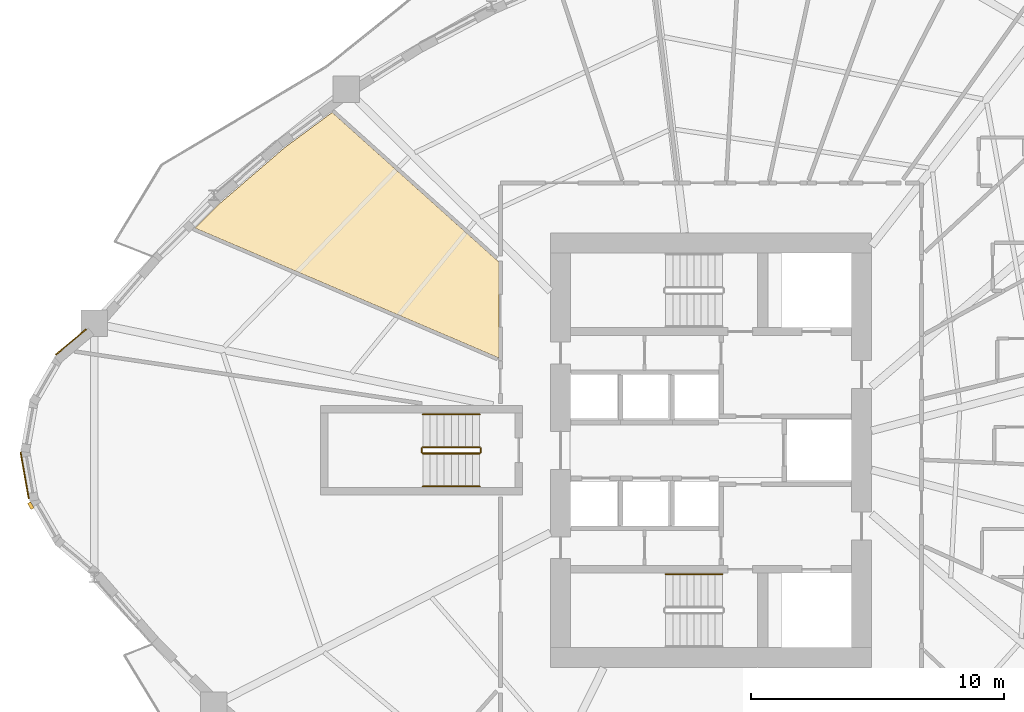
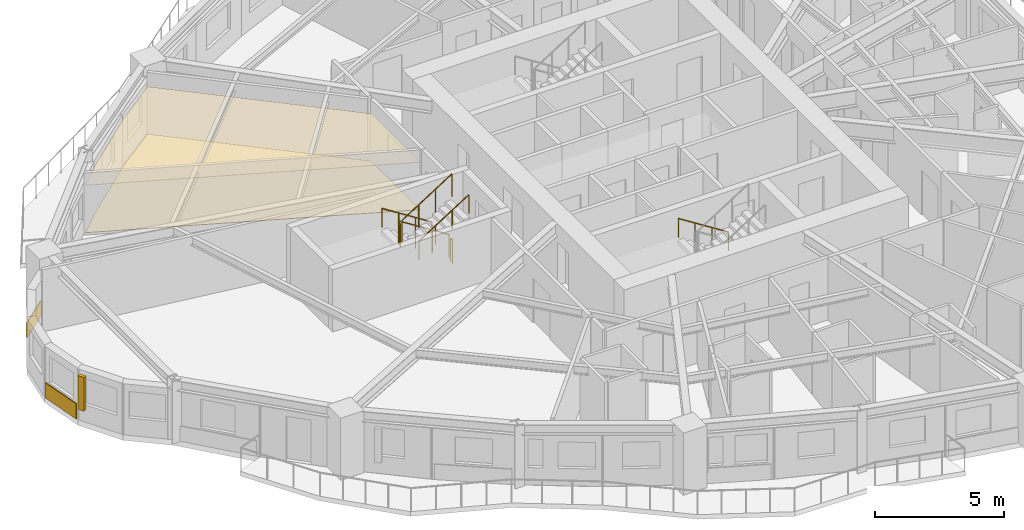
# One storey, part 11 of 14: 7 railings, 4 coverings, 1 shading device.
"""IFC4 building model written with IfcOpenShell, lengths in metres."""

from ifc_helpers import new_model, si_unit, direction, frame, origin, origin_2d, place, context, subcontext, project, spatial, polyline, rectangle, circle, outline, extrude, source, transform, mapped, material, layer, layer_set, type_object, element, save


model = new_model("IFC4")

# Units and contexts
model_context = context("Model", 3, precision=1e-05, world=origin(), true_north=direction((0.0, 1.0)))
body_context = subcontext(model_context, "Body", "Model", "MODEL_VIEW")
ifc_project = project(units=[si_unit("LENGTHUNIT", "METRE"), si_unit("AREAUNIT", "SQUARE_METRE"), si_unit("VOLUMEUNIT", "CUBIC_METRE"), si_unit("PLANEANGLEUNIT", "RADIAN"), si_unit("MASSUNIT", "GRAM", prefix="KILO")], contexts=[model_context])

# Site, building, storey
site_placement = place(None, origin())
site = spatial("IfcSite", under=ifc_project, at=site_placement, CompositionType="ELEMENT")
building_placement = place(site_placement, origin())
building = spatial("IfcBuilding", under=site, at=building_placement, Name="Qafzar Sky-Pleat Residences", CompositionType="ELEMENT")
storey_placement = place(building_placement, frame((0.0, 0.0, 23.800048828125)))
storey = spatial("IfcBuildingStorey", under=building, at=storey_placement, Name="L06", CompositionType="ELEMENT", Elevation=23.800048828125)

# Coverings
ifc_material_1 = material(Name="Perforated acoustic gypsum board ceiling")
ifc_layer_1 = layer(ifc_material_1, 0.02001953125)
ifc_layer_set_1 = layer_set([ifc_layer_1], Name="Perforated acoustic gypsum board ceiling")
covering_type_1 = type_object("IfcCoveringType", Name="COV-CEIL-ACOUSTIC", PredefinedType="CEILING", material=ifc_layer_set_1)
covering_1_placement = place(storey_placement, frame((0.0, 0.0, 2.239990234375)))
element("IfcCovering", 1, at=covering_1_placement, inside=storey, type_object=covering_type_1, Name="L06 Co-Living Lounge Acoustic Ceiling", PredefinedType="CEILING", context=body_context, shape_type="SweptSolid", body=[
    extrude(outline(polyline([(13.4970703125, 37.975830078125), (15.369140625, 39.361328125), (21.9599609375, 33.447509765625), (21.9599609375, 29.652587890625), (9.95361328125, 34.7861328125), (10.96240234375, 35.79150390625), (13.4970703125, 37.975830078125)])), origin(), (0.0, 0.0, 1.0), 0.02001953125),
])
ifc_material_2 = material(Name="Honed porcelain and Riyadh stone tile flooring", Category="masonry")
ifc_layer_2 = layer(ifc_material_2, 0.02001953125)
ifc_layer_set_2 = layer_set([ifc_layer_2], Name="Honed porcelain and Riyadh stone tile flooring")
covering_type_2 = type_object("IfcCoveringType", Name="COV-FLR-PORCELAIN", PredefinedType="FLOORING", material=ifc_layer_set_2)
covering_2_placement = place(storey_placement, origin())
element("IfcCovering", 2, at=covering_2_placement, inside=storey, type_object=covering_type_2, Name="L06 Co-Living Lounge Honed Stone Flooring", PredefinedType="FLOORING", context=body_context, shape_type="SweptSolid", body=[
    extrude(outline(polyline([(13.4970703125, 37.975830078125), (15.369140625, 39.361328125), (21.9599609375, 33.447509765625), (21.9599609375, 29.652587890625), (9.95361328125, 34.7861328125), (10.96240234375, 35.79150390625), (13.4970703125, 37.975830078125)])), origin(), (0.0, 0.0, 1.0), 0.02001953125),
])
ifc_material_3 = material(Name="Honed Riyadh Tuwaiq limestone cladding", Category="masonry")
ifc_layer_3 = layer(ifc_material_3, 0.044921875)
ifc_layer_set_3 = layer_set([ifc_layer_3], Name="Honed Riyadh Tuwaiq limestone cladding")
covering_type_3 = type_object("IfcCoveringType", Name="COV-CLAD-STONE", PredefinedType="CLADDING", material=ifc_layer_set_3)
shared_shape_1 = source(origin(), body_context, "Body", "SweptSolid", [
    extrude(rectangle(XDim=1.5771484375, YDim=0.044921875, at=origin_2d()), origin(), (0.0, 0.0, 1.0), 0.719970703125),
])
covering_3_placement = place(storey_placement, frame((5.039794921875, 30.28369140625, 0.02001953125), z_axis=(0.0, 0.0, 1.0), x_axis=(-0.766074606481, -0.642751660678, 0.0)))
element("IfcCovering", 3, at=covering_3_placement, inside=storey, type_object=covering_type_3, Name="L06 Riyadh Limestone Spandrel Cladding 1", PredefinedType="CLADDING", context=body_context, shape_type="MappedRepresentation", body=[
    mapped(shared_shape_1, transform((0.0, 0.0, 0.0), x_axis=(1.0, 0.0, 0.0), y_axis=(0.0, 1.0, 0.0), z_axis=(0.0, 0.0, 1.0), scale=1.0)),
])

# Shading device
ifc_material_4 = material(Name="Honed Riyadh limestone solar fin", Category="masonry")
ifc_layer_4 = layer(ifc_material_4, 0.139892578125)
ifc_layer_set_4 = layer_set([ifc_layer_4], Name="Honed Riyadh limestone solar fin")
shading_device_type = type_object("IfcShadingDeviceType", Name="SHD-FIN-STONE", PredefinedType="SHUTTER", material=ifc_layer_set_4)
shared_shape_2 = source(origin(), body_context, "Body", "SweptSolid", [
    extrude(rectangle(XDim=0.139892578125, YDim=0.280029296875, at=origin_2d()), origin(), (0.0, 0.0, 1.0), 1.60009765625),
])
shading_device_placement = place(storey_placement, frame((3.44970703125, 23.80859375, 0.599853515625), z_axis=(0.0, 0.0, 1.0), x_axis=(-0.86604422228, -0.499967403994, 0.0)))
element("IfcShadingDevice", 4, at=shading_device_placement, inside=storey, type_object=shading_device_type, Name="L06 Limestone Solar Fin 5", PredefinedType="SHUTTER", context=body_context, shape_type="MappedRepresentation", body=[
    mapped(shared_shape_2, transform((0.0, 0.0, 0.0), x_axis=(1.0, 0.0, 0.0), y_axis=(0.0, 1.0, 0.0), z_axis=(0.0, 0.0, 1.0), scale=1.0)),
])

# Covering
shared_shape_3 = source(origin(), body_context, "Body", "SweptSolid", [
    extrude(rectangle(XDim=1.88134765625, YDim=0.044921875, at=origin_2d()), origin(), (0.0, 0.0, 1.0), 0.719970703125),
])
covering_4_placement = place(storey_placement, frame((3.208251953125, 25.00439453125, 0.02001953125), z_axis=(0.0, 0.0, 1.0), x_axis=(0.173662519465, -0.984805224059, 0.0)))
element("IfcCovering", 5, at=covering_4_placement, inside=storey, type_object=covering_type_3, Name="L06 Riyadh Limestone Spandrel Cladding 4", PredefinedType="CLADDING", context=body_context, shape_type="MappedRepresentation", body=[
    mapped(shared_shape_3, transform((0.0, 0.0, 0.0), x_axis=(1.0, 0.0, 0.0), y_axis=(0.0, 1.0, 0.0), z_axis=(0.0, 0.0, 1.0), scale=1.0)),
])

# Railings
ifc_material_5 = material(Name="Painted Steel S355 stair guardrail", Category="steel")
railing_type_1 = type_object("IfcRailingType", Name="RAIL-STAIR-GUARD", PredefinedType="GUARDRAIL", material=ifc_material_5)
shared_shape_4 = source(origin(), body_context, "Body", "SweptSolid", [
    extrude(circle(Radius=0.02392578125, at=origin_2d()), frame((0.0, 0.0, 1.076171875), z_axis=(0.0, -1.0, 0.0), x_axis=(1.0, 0.0, 0.0)), (0.0, 0.0, 1.0), 0.14990234375),
    extrude(circle(Radius=0.02099609375, at=origin_2d()), origin(), (0.0, 0.0, 1.0), 1.052001953125),
    extrude(circle(Radius=0.02099609375, at=origin_2d()), frame((0.0, -0.14990234375, 0.0)), (0.0, 0.0, 1.0), 1.052001953125),
])
for number, where, name in (
    (6, (18.909912109375, 26.074951171875, 1.599853515625), "L06 ST3 stair guard 2"),
    (7, (21.25, 26.074951171875, 0.0), "L06 ST3 stair guard 4"),
):
    element("IfcRailing", number, at=place(storey_placement, frame(where)), inside=storey, type_object=railing_type_1, Name=name, PredefinedType="GUARDRAIL", context=body_context, shape_type="MappedRepresentation", body=[
        mapped(shared_shape_4, transform((0.0, 0.0, 0.0), x_axis=(1.0, 0.0, 0.0), y_axis=(0.0, 1.0, 0.0), z_axis=(0.0, 0.0, 1.0), scale=1.0)),
    ])
shared_shape_5 = source(origin(), body_context, "Body", "SweptSolid", [
    extrude(circle(Radius=0.02392578125, at=origin_2d()), frame((0.0, 0.0, 1.076171875), z_axis=(-0.8442293374, 0.0, 0.53598211339), x_axis=(0.0, -1.0, 0.0)), (0.0, 0.0, 1.0), 2.6533203125),
    extrude(circle(Radius=0.02099609375, at=origin_2d()), origin(), (0.0, 0.0, 1.0), 1.052001953125),
    extrude(circle(Radius=0.02099609375, at=origin_2d()), frame((-0.74658203125, 0.0, 0.47412109375)), (0.0, 0.0, 1.0), 1.052001953125),
    extrude(circle(Radius=0.02099609375, at=origin_2d()), frame((-1.493408203125, 0.0, 0.947998046875)), (0.0, 0.0, 1.0), 1.052001953125),
    extrude(circle(Radius=0.02099609375, at=origin_2d()), frame((-2.239990234375, 0.0, 1.422119140625)), (0.0, 0.0, 1.0), 1.052001953125),
])
railing_1_placement = place(storey_placement, frame((21.199951171875, 26.125, 0.177734375)))
element("IfcRailing", 8, at=railing_1_placement, inside=storey, type_object=railing_type_1, Name="L06 ST3 stair guard 1", PredefinedType="GUARDRAIL", context=body_context, shape_type="MappedRepresentation", body=[
    mapped(shared_shape_5, transform((0.0, 0.0, 0.0), x_axis=(1.0, 0.0, 0.0), y_axis=(0.0, 1.0, 0.0), z_axis=(0.0, 0.0, 1.0), scale=1.0)),
])
shared_shape_6 = source(origin(), body_context, "Body", "SweptSolid", [
    extrude(circle(Radius=0.02392578125, at=origin_2d()), frame((0.0, 0.0, 1.076171875), z_axis=(0.8442293374, 0.0, 0.53598211339), x_axis=(0.0, 1.0, 0.0)), (0.0, 0.0, 1.0), 2.6533203125),
    extrude(circle(Radius=0.02099609375, at=origin_2d()), origin(), (0.0, 0.0, 1.0), 1.052001953125),
    extrude(circle(Radius=0.02099609375, at=origin_2d()), frame((0.74658203125, 0.0, 0.47412109375)), (0.0, 0.0, 1.0), 1.052001953125),
    extrude(circle(Radius=0.02099609375, at=origin_2d()), frame((1.493408203125, 0.0, 0.947998046875)), (0.0, 0.0, 1.0), 1.052001953125),
    extrude(circle(Radius=0.02099609375, at=origin_2d()), frame((2.239990234375, 0.0, 1.422119140625)), (0.0, 0.0, 1.0), 1.052001953125),
])
railing_2_placement = place(storey_placement, frame((18.9599609375, 25.875, 1.77783203125)))
element("IfcRailing", 9, at=railing_2_placement, inside=storey, type_object=railing_type_1, Name="L06 ST3 stair guard 3", PredefinedType="GUARDRAIL", context=body_context, shape_type="MappedRepresentation", body=[
    mapped(shared_shape_6, transform((0.0, 0.0, 0.0), x_axis=(1.0, 0.0, 0.0), y_axis=(0.0, 1.0, 0.0), z_axis=(0.0, 0.0, 1.0), scale=1.0)),
])
ifc_material_6 = material(Name="Brushed stainless steel handrail", Category="steel")
railing_type_2 = type_object("IfcRailingType", Name="RAIL-STAIR-HAND", PredefinedType="HANDRAIL", material=ifc_material_6)
shared_shape_7 = source(origin(), body_context, "Body", "SweptSolid", [
    extrude(circle(Radius=0.02392578125, at=origin_2d()), frame((0.0, 0.0, 0.8759765625), z_axis=(-0.8442293374, 0.0, 0.53598211339), x_axis=(0.0, -1.0, 0.0)), (0.0, 0.0, 1.0), 2.6533203125),
    extrude(circle(Radius=0.02099609375, at=origin_2d()), origin(), (0.0, 0.0, 1.0), 0.851806640625),
    extrude(circle(Radius=0.02099609375, at=origin_2d()), frame((-0.74658203125, 0.0, 0.47412109375)), (0.0, 0.0, 1.0), 0.851806640625),
    extrude(circle(Radius=0.02099609375, at=origin_2d()), frame((-1.493408203125, 0.0, 0.947998046875)), (0.0, 0.0, 1.0), 0.851806640625),
    extrude(circle(Radius=0.02099609375, at=origin_2d()), frame((-2.239990234375, 0.0, 1.422119140625)), (0.0, 0.0, 1.0), 0.851806640625),
])
for number, where, name in (
    (10, (30.800048828125, 21.10009765625, 0.177734375), "L06 ST1 stair handrail 1"),
    (11, (21.199951171875, 27.425048828125, 0.177734375), "L06 ST3 stair handrail 1"),
):
    element("IfcRailing", number, at=place(storey_placement, frame(where)), inside=storey, type_object=railing_type_2, Name=name, PredefinedType="HANDRAIL", context=body_context, shape_type="MappedRepresentation", body=[
        mapped(shared_shape_7, transform((0.0, 0.0, 0.0), x_axis=(1.0, 0.0, 0.0), y_axis=(0.0, 1.0, 0.0), z_axis=(0.0, 0.0, 1.0), scale=1.0)),
    ])
shared_shape_8 = source(origin(), body_context, "Body", "SweptSolid", [
    extrude(circle(Radius=0.02392578125, at=origin_2d()), frame((0.0, 0.0, 0.8759765625), z_axis=(0.8442293374, 0.0, 0.53598211339), x_axis=(0.0, 1.0, 0.0)), (0.0, 0.0, 1.0), 2.6533203125),
    extrude(circle(Radius=0.02099609375, at=origin_2d()), origin(), (0.0, 0.0, 1.0), 0.851806640625),
    extrude(circle(Radius=0.02099609375, at=origin_2d()), frame((0.74658203125, 0.0, 0.47412109375)), (0.0, 0.0, 1.0), 0.851806640625),
    extrude(circle(Radius=0.02099609375, at=origin_2d()), frame((1.493408203125, 0.0, 0.947998046875)), (0.0, 0.0, 1.0), 0.851806640625),
    extrude(circle(Radius=0.02099609375, at=origin_2d()), frame((2.239990234375, 0.0, 1.422119140625)), (0.0, 0.0, 1.0), 0.851806640625),
])
railing_3_placement = place(storey_placement, frame((18.9599609375, 24.574951171875, 1.77783203125)))
element("IfcRailing", 12, at=railing_3_placement, inside=storey, type_object=railing_type_2, Name="L06 ST3 stair handrail 2", PredefinedType="HANDRAIL", context=body_context, shape_type="MappedRepresentation", body=[
    mapped(shared_shape_8, transform((0.0, 0.0, 0.0), x_axis=(1.0, 0.0, 0.0), y_axis=(0.0, 1.0, 0.0), z_axis=(0.0, 0.0, 1.0), scale=1.0)),
])

save(model, "model.ifc")
